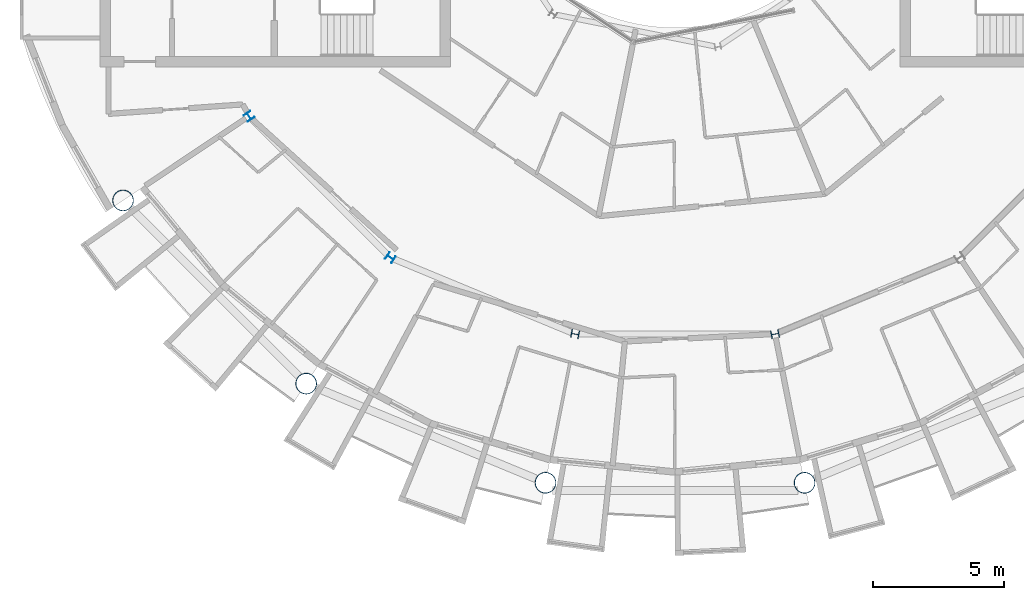
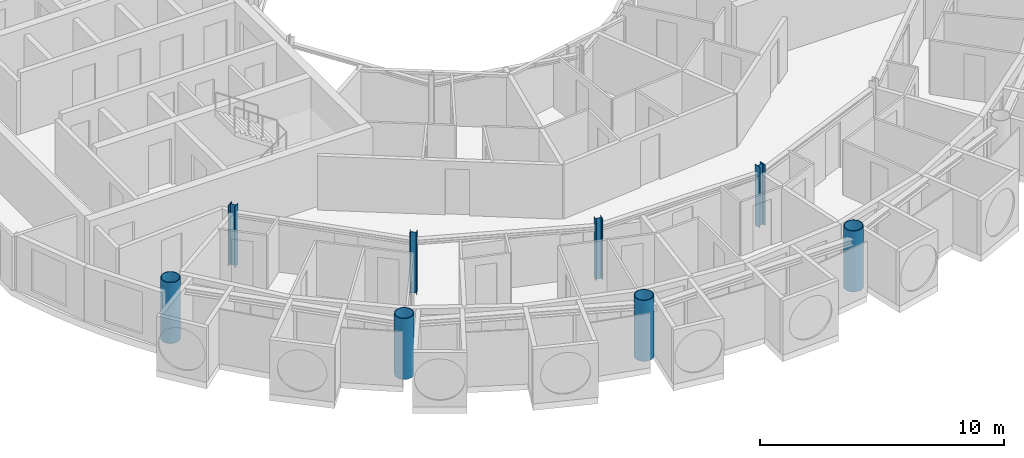
# One storey, part 1 of 27: 8 columns.
"""IFC4 building model written with IfcOpenShell, lengths in metres."""

from ifc_helpers import new_model, si_unit, direction, frame, origin, origin_2d, place, context, subcontext, project, spatial, hollow_circle, i_section, extrude, material, material_profile, profile_set, type_object, element, save


model = new_model("IFC4")

# Units and contexts
model_context = context("Model", 3, precision=1e-05, world=origin(), true_north=direction((0.0, 1.0)))
body_context = subcontext(model_context, "Body", "Model", "MODEL_VIEW")
ifc_project = project(units=[si_unit("LENGTHUNIT", "METRE"), si_unit("AREAUNIT", "SQUARE_METRE"), si_unit("VOLUMEUNIT", "CUBIC_METRE"), si_unit("PLANEANGLEUNIT", "RADIAN"), si_unit("MASSUNIT", "GRAM", prefix="KILO")], contexts=[model_context])

# Site, building, storey
site_placement = place(None, origin())
site = spatial("IfcSite", under=ifc_project, at=site_placement, CompositionType="ELEMENT")
building_placement = place(site_placement, origin())
building = spatial("IfcBuilding", under=site, at=building_placement, Name="Maasbend Ring Residences", CompositionType="ELEMENT")
storey_placement = place(building_placement, frame((0.0, 0.0, 240.14990234375)))
storey = spatial("IfcBuildingStorey", under=building, at=storey_placement, Name="L69", CompositionType="ELEMENT", Elevation=240.14990234375)

# Columns
ifc_material_1 = material(Name="Composite concrete-filled steel tube S460NH / C80/95", Category="concrete")
ifc_material_profile_1 = material_profile(ifc_material_1, hollow_circle(Radius=0.406494140625, WallThickness=0.030029296875, at=origin_2d()), Name="Composite tube column CHS 813x30")
ifc_profile_set_1 = profile_set([ifc_material_profile_1], Name="Composite concrete-filled steel tube S460NH / C80/95")
column_type_1 = type_object("IfcColumnType", Name="Composite tube column CHS 813x30", PredefinedType="COLUMN", material=ifc_profile_set_1)
for number, where, z_axis, x_axis, name in (
    (1, (-21.119384765625, -14.111572265625, 0.0), (0.0, 0.0, 1.0), (1.0, 0.0, 0.0), "Outer column R10"),
    (2, (-14.111572265625, -21.119384765625, 0.0), (0.0, 0.0, 1.0), (1.0, 0.0, 0.0), "Outer column R11"),
    (3, (-4.955322265625, -24.911865234375, 0.0), (0.0, 0.0, 1.0), (1.0, 0.0, 0.0), "Outer column R12"),
    (4, (4.955322265625, -24.911865234375, 0.0), (0.0, 0.0, 1.0), (1.0, 0.0, 0.0), "Outer column R13"),
):
    element("IfcColumn", number, at=place(storey_placement, frame(where, z_axis=z_axis, x_axis=x_axis)), inside=storey, type_object=column_type_1, Name=name, PredefinedType="COLUMN", context=body_context, shape_type="SweptSolid", body=[
        extrude(hollow_circle(Radius=0.406494140625, WallThickness=0.030029296875, at=origin_2d()), origin(), (0.0, 0.0, 1.0), 3.050048828125),
    ])
ifc_material_2 = material(Name="Steel S355J2", Category="steel")
ifc_material_profile_2 = material_profile(ifc_material_2, i_section(OverallWidth=0.300048828125, OverallDepth=0.300048828125, WebThickness=0.010986328125, FlangeThickness=0.01904296875, FilletRadius=0.027099609375, at=origin_2d()), Name="HEB 300")
ifc_profile_set_2 = profile_set([ifc_material_profile_2], Name="Steel S355J2")
column_type_2 = type_object("IfcColumnType", Name="Steel column HEB 300", PredefinedType="COLUMN", material=ifc_profile_set_2)
for number, where, z_axis, x_axis, name in (
    (5, (-16.296875, -10.88916015625, 0.0), (0.0, 0.0, 1.0), (-0.831469612303, -0.55557023302, 0.0), "Corridor ring column R10"),
    (6, (-10.88916015625, -16.296875, 0.0), (0.0, 0.0, 1.0), (-0.55557023302, -0.831469612303, 0.0), "Corridor ring column R11"),
    (7, (-3.82373046875, -19.223388671875, 0.0), (0.0, 0.0, 1.0), (-0.195090322016, -0.980785280403, 0.0), "Corridor ring column R12"),
    (8, (3.82373046875, -19.223388671875, 0.0), (0.0, 0.0, 1.0), (0.195090322016, -0.980785280403, 0.0), "Corridor ring column R13"),
):
    element("IfcColumn", number, at=place(storey_placement, frame(where, z_axis=z_axis, x_axis=x_axis)), inside=storey, type_object=column_type_2, Name=name, PredefinedType="COLUMN", context=body_context, shape_type="SweptSolid", body=[
        extrude(i_section(OverallWidth=0.300048828125, OverallDepth=0.300048828125, WebThickness=0.010986328125, FlangeThickness=0.01904296875, FilletRadius=0.027099609375, at=origin_2d()), origin(), (0.0, 0.0, 1.0), 3.050048828125),
    ])

save(model, "model.ifc")
